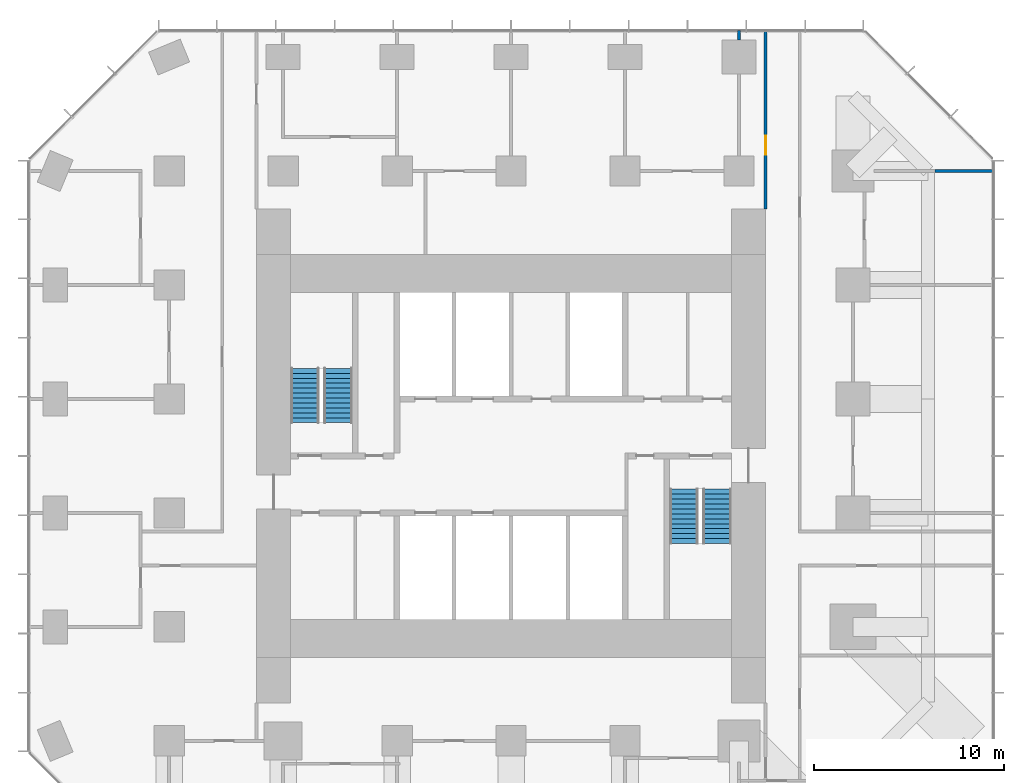
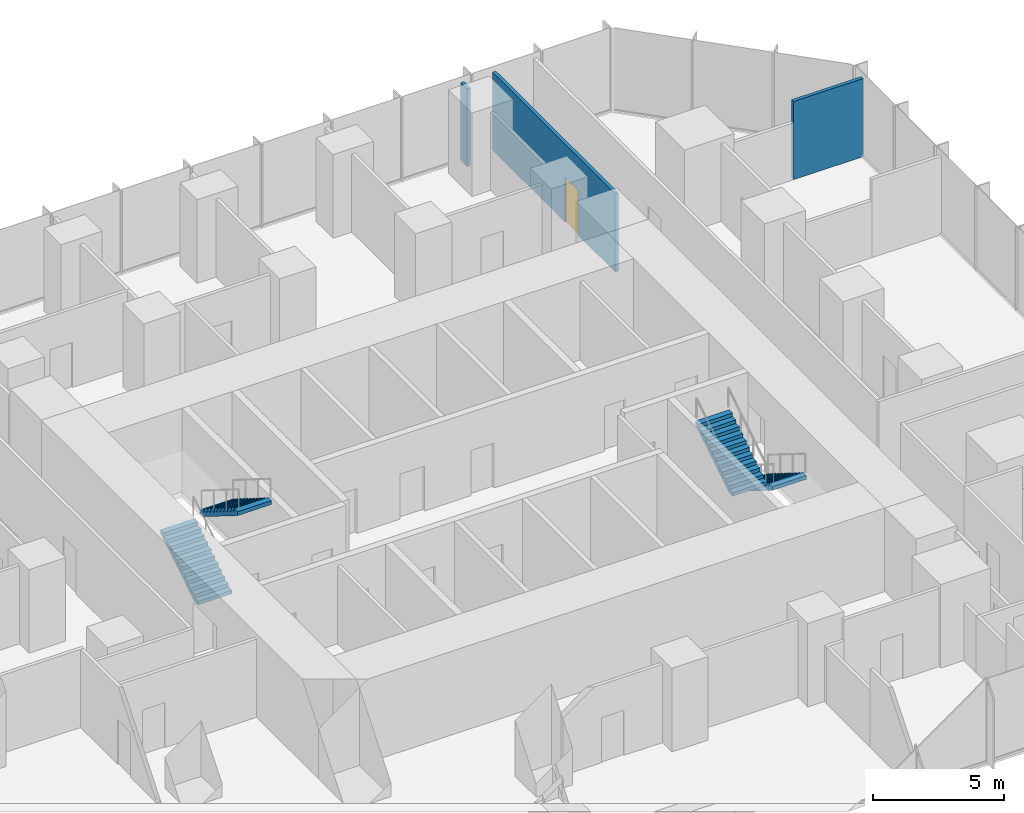
# One storey, part 11 of 12: 4 stair flights, 3 walls, 1 door, 1 opening, 2 elements without a shape of their own.
"""IFC4 building model written with IfcOpenShell, lengths in metres."""

from ifc_helpers import new_model, si_unit, direction, frame, frame_2d, origin, place, context, subcontext, project, spatial, polyline, rectangle, outline, extrude, material, layer, layer_set, type_object, element, fill, aggregate, save


model = new_model("IFC4")

# Units and contexts
model_context = context("Model", 3, precision=1e-05, world=origin(), true_north=direction((0.0, 1.0)))
body_context = subcontext(model_context, "Body", "Model", "MODEL_VIEW")
ifc_project = project(units=[si_unit("LENGTHUNIT", "METRE"), si_unit("AREAUNIT", "SQUARE_METRE"), si_unit("VOLUMEUNIT", "CUBIC_METRE"), si_unit("PLANEANGLEUNIT", "RADIAN"), si_unit("MASSUNIT", "GRAM", prefix="KILO")], contexts=[model_context])

# Site, building, storey
site_placement = place(None, origin())
site = spatial("IfcSite", under=ifc_project, at=site_placement, CompositionType="ELEMENT")
building_placement = place(site_placement, origin())
building = spatial("IfcBuilding", under=site, at=building_placement, Name="Highveld Stack Headquarters", CompositionType="ELEMENT")
storey_placement = place(building_placement, frame((0.0, 0.0, 148.39990234375)))
storey = spatial("IfcBuildingStorey", under=building, at=storey_placement, Name="L36", CompositionType="ELEMENT", Elevation=148.39990234375)

# Walls
ifc_material_1 = material(Name="Gypsum plasterboard on steel studs", Category="steel")
ifc_layer = layer(ifc_material_1, 0.14990234375)
ifc_layer_set = layer_set([ifc_layer], Name="Gypsum plasterboard on steel studs")
wall_type = type_object("IfcWallType", Name="PARTITION 150 PLASTERBOARD", PredefinedType="PARTITIONING", material=ifc_layer_set)
wall_1_placement = place(storey_placement, frame((28.31005859375, 18.0, 0.0), z_axis=(0.0, 0.0, 1.0), x_axis=(1.0, 0.0, 0.0)))
element("IfcWall", 1, at=wall_1_placement, inside=storey, type_object=wall_type, Name="Partition Video conference room L36", PredefinedType="PARTITIONING", context=body_context, shape_type="SweptSolid", body=[
    extrude(rectangle(XDim=3.08984375, YDim=0.14990234375, at=frame_2d((1.544921875, 0.0))), origin(), (0.0, 0.0, 1.0), 3.650146484375),
])
wall_2_placement = place(storey_placement, frame((18.0, 24.89990234375, 0.0), z_axis=(0.0, 0.0, 1.0), x_axis=(0.0, 1.0, 0.0)))
element("IfcWall", 2, at=wall_2_placement, inside=storey, type_object=wall_type, Name="Partition Office L36", PredefinedType="PARTITIONING", context=body_context, shape_type="SweptSolid", body=[
    extrude(rectangle(XDim=0.5, YDim=0.14990234375, at=frame_2d((0.25, 0.0))), origin(), (0.0, 0.0, 1.0), 3.650146484375),
])

# Wall, opening, door
wall_3_placement = place(storey_placement, frame((19.39990234375, 16.0, 0.0), z_axis=(0.0, 0.0, 1.0), x_axis=(0.0, 1.0, 0.0)))
wall_3 = element("IfcWall", 3, at=wall_3_placement, inside=storey, type_object=wall_type, Name="Partition office neighbourhood L36", PredefinedType="PARTITIONING", context=body_context, shape_type="SweptSolid", body=[
    extrude(rectangle(XDim=9.39990234375, YDim=0.14990234375, at=frame_2d((4.699951171875, 0.0))), origin(), (0.0, 0.0, 1.0), 3.650146484375),
])
opening_placement = place(wall_3_placement, frame((2.85009765625, 0.0, 0.0)))
opening = element("IfcOpeningElement", 4, at=opening_placement, cuts=wall_3, Name="Opening L36-30", PredefinedType="OPENING", context=body_context, shape_type="SweptSolid", body=[
    extrude(rectangle(XDim=1.0, YDim=2.10009765625, at=frame_2d((0.5, 1.050048828125))), frame((0.0, 0.0849609375, 0.0), z_axis=(0.0, -1.0, 0.0), x_axis=(1.0, 0.0, 0.0)), (0.0, 0.0, 1.0), 0.169921875),
])
ifc_material_2 = material(Name="Timber door, oiled ash", Category="wood")
door_type = type_object("IfcDoorType", Name="ROOM DOOR D6 1000x2100", OperationType="SINGLE_SWING_LEFT", PredefinedType="DOOR", material=ifc_material_2)
door_placement = place(opening_placement, origin())
door = element("IfcDoor", 5, at=door_placement, inside=storey, type_object=door_type, Name="Office neighbourhood door L36", OperationType="SINGLE_SWING_LEFT", OverallHeight=2.10009765625, OverallWidth=1.0, PredefinedType="DOOR", context=body_context, shape_type="SweptSolid", body=[
    extrude(rectangle(XDim=1.0, YDim=2.10009765625, at=frame_2d((0.5, 1.050048828125))), frame((0.0, 0.02490234375, 0.0), z_axis=(0.0, -1.0, 0.0), x_axis=(1.0, 0.0, 0.0)), (0.0, 0.0, 1.0), 0.050048828125),
])
fill(opening, door)

# Stair, stair flights
ifc_material_3 = material(Name="Concrete C40/50, precast", Category="concrete")
stair_type_1 = type_object("IfcStairType", Name="STAIR S1 HALF TURN 1500", PredefinedType="HALF_TURN_STAIR", material=ifc_material_3)
stair_1_placement = place(storey_placement, origin())
stair_1 = element("IfcStair", 6, at=stair_1_placement, inside=storey, type_object=stair_type_1, Name="Stair S1 L36", PredefinedType="HALF_TURN_STAIR")
ifc_material_4 = material(Name="Concrete C40/50, precast", Category="concrete")
stair_flight_type = type_object("IfcStairFlightType", Name="STAIR FLIGHT 1500 PRECAST", PredefinedType="STRAIGHT", material=ifc_material_4)
stair_flight_1_placement = place(storey_placement, frame((-4.85009765625, 4.75, 0.0), z_axis=(0.0, 0.0, 1.0), x_axis=(0.0, 1.0, 0.0)))
stair_flight_1 = element("IfcStairFlight", 7, at=stair_flight_1_placement, type_object=stair_flight_type, Name="S1 flight 1", NumberOfRisers=12, NumberOfTreads=11, PredefinedType="STRAIGHT", RiserHeight=0.1625, TreadLength=0.26, context=body_context, shape_type="SweptSolid", body=[
    extrude(outline(polyline([(0.0, 0.0), (0.0, 0.16259765625), (0.260009765625, 0.16259765625), (0.260009765625, 0.324951171875), (0.52001953125, 0.324951171875), (0.52001953125, 0.487548828125), (0.780029296875, 0.487548828125), (0.780029296875, 0.64990234375), (1.0400390625, 0.64990234375), (1.0400390625, 0.8125), (1.300048828125, 0.8125), (1.300048828125, 0.97509765625), (1.56005859375, 0.97509765625), (1.56005859375, 1.137451171875), (1.820068359375, 1.137451171875), (1.820068359375, 1.300048828125), (2.080078125, 1.300048828125), (2.080078125, 1.46240234375), (2.340087890625, 1.46240234375), (2.340087890625, 1.625), (2.60009765625, 1.625), (2.60009765625, 1.78759765625), (2.860107421875, 1.78759765625), (2.860107421875, 1.949951171875), (2.860107421875, 1.61083984375), (0.28271484375, 0.0), (0.0, 0.0)])), frame((0.0, 0.75, 0.0), z_axis=(0.0, -1.0, 0.0), x_axis=(1.0, 0.0, 0.0)), (0.0, 0.0, 1.0), 1.5),
])
stair_flight_2_placement = place(storey_placement, frame((-3.10009765625, 7.610107421875, 1.9501953125), z_axis=(0.0, 0.0, 1.0), x_axis=(0.0, -1.0, 0.0)))
stair_flight_2 = element("IfcStairFlight", 8, at=stair_flight_2_placement, type_object=stair_flight_type, Name="S1 flight 2", NumberOfRisers=12, NumberOfTreads=11, PredefinedType="STRAIGHT", RiserHeight=0.1625, TreadLength=0.26, context=body_context, shape_type="SweptSolid", body=[
    extrude(outline(polyline([(0.0, 0.0), (0.0, 0.16259765625), (0.260009765625, 0.16259765625), (0.260009765625, 0.324951171875), (0.52001953125, 0.324951171875), (0.52001953125, 0.487548828125), (0.780029296875, 0.487548828125), (0.780029296875, 0.64990234375), (1.0400390625, 0.64990234375), (1.0400390625, 0.8125), (1.300048828125, 0.8125), (1.300048828125, 0.97509765625), (1.56005859375, 0.97509765625), (1.56005859375, 1.137451171875), (1.820068359375, 1.137451171875), (1.820068359375, 1.300048828125), (2.080078125, 1.300048828125), (2.080078125, 1.46240234375), (2.340087890625, 1.46240234375), (2.340087890625, 1.625), (2.60009765625, 1.625), (2.60009765625, 1.78759765625), (2.860107421875, 1.78759765625), (2.860107421875, 1.949951171875), (2.860107421875, 1.61083984375), (0.28271484375, 0.0), (0.0, 0.0)])), frame((0.0, 0.75, 0.0), z_axis=(0.0, -1.0, 0.0), x_axis=(1.0, 0.0, 0.0)), (0.0, 0.0, 1.0), 1.5),
])
aggregate(stair_1, [stair_flight_1, stair_flight_2])

ifc_material_5 = material(Name="Concrete C40/50, precast", Category="concrete")
stair_type_2 = type_object("IfcStairType", Name="STAIR S2 HALF TURN 1500", PredefinedType="HALF_TURN_STAIR", material=ifc_material_5)
stair_2_placement = place(storey_placement, origin())
stair_2 = element("IfcStair", 9, at=stair_2_placement, inside=storey, type_object=stair_type_2, Name="Stair S2 L36", PredefinedType="HALF_TURN_STAIR")
stair_flight_3_placement = place(storey_placement, frame((16.85009765625, 1.25, 0.0), z_axis=(0.0, 0.0, 1.0), x_axis=(0.0, -1.0, 0.0)))
stair_flight_3 = element("IfcStairFlight", 10, at=stair_flight_3_placement, type_object=stair_flight_type, Name="S2 flight 1", NumberOfRisers=12, NumberOfTreads=11, PredefinedType="STRAIGHT", RiserHeight=0.1625, TreadLength=0.26, context=body_context, shape_type="SweptSolid", body=[
    extrude(outline(polyline([(0.0, 0.0), (0.0, 0.16259765625), (0.260009765625, 0.16259765625), (0.260009765625, 0.324951171875), (0.52001953125, 0.324951171875), (0.52001953125, 0.487548828125), (0.780029296875, 0.487548828125), (0.780029296875, 0.64990234375), (1.0400390625, 0.64990234375), (1.0400390625, 0.8125), (1.300048828125, 0.8125), (1.300048828125, 0.97509765625), (1.56005859375, 0.97509765625), (1.56005859375, 1.137451171875), (1.820068359375, 1.137451171875), (1.820068359375, 1.300048828125), (2.080078125, 1.300048828125), (2.080078125, 1.46240234375), (2.340087890625, 1.46240234375), (2.340087890625, 1.625), (2.60009765625, 1.625), (2.60009765625, 1.78759765625), (2.860107421875, 1.78759765625), (2.860107421875, 1.949951171875), (2.860107421875, 1.61083984375), (0.28271484375, 0.0), (0.0, 0.0)])), frame((0.0, 0.75, 0.0), z_axis=(0.0, -1.0, 0.0), x_axis=(1.0, 0.0, 0.0)), (0.0, 0.0, 1.0), 1.5),
])
stair_flight_4_placement = place(storey_placement, frame((15.10009765625, -1.610107421875, 1.9501953125), z_axis=(0.0, 0.0, 1.0), x_axis=(0.0, 1.0, 0.0)))
stair_flight_4 = element("IfcStairFlight", 11, at=stair_flight_4_placement, type_object=stair_flight_type, Name="S2 flight 2", NumberOfRisers=12, NumberOfTreads=11, PredefinedType="STRAIGHT", RiserHeight=0.1625, TreadLength=0.26, context=body_context, shape_type="SweptSolid", body=[
    extrude(outline(polyline([(0.0, 0.0), (0.0, 0.16259765625), (0.260009765625, 0.16259765625), (0.260009765625, 0.324951171875), (0.52001953125, 0.324951171875), (0.52001953125, 0.487548828125), (0.780029296875, 0.487548828125), (0.780029296875, 0.64990234375), (1.0400390625, 0.64990234375), (1.0400390625, 0.8125), (1.300048828125, 0.8125), (1.300048828125, 0.97509765625), (1.56005859375, 0.97509765625), (1.56005859375, 1.137451171875), (1.820068359375, 1.137451171875), (1.820068359375, 1.300048828125), (2.080078125, 1.300048828125), (2.080078125, 1.46240234375), (2.340087890625, 1.46240234375), (2.340087890625, 1.625), (2.60009765625, 1.625), (2.60009765625, 1.78759765625), (2.860107421875, 1.78759765625), (2.860107421875, 1.949951171875), (2.860107421875, 1.61083984375), (0.28271484375, 0.0), (0.0, 0.0)])), frame((0.0, 0.75, 0.0), z_axis=(0.0, -1.0, 0.0), x_axis=(1.0, 0.0, 0.0)), (0.0, 0.0, 1.0), 1.5),
])
aggregate(stair_2, [stair_flight_3, stair_flight_4])

save(model, "model.ifc")
